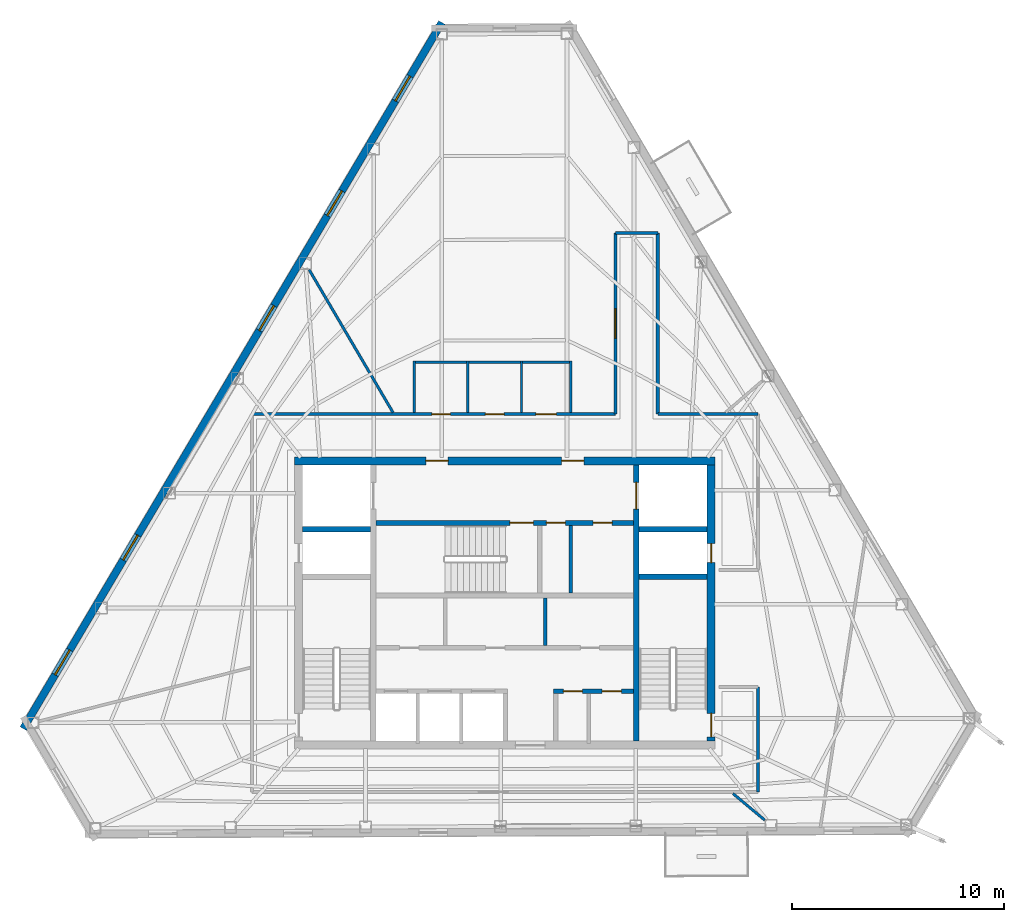
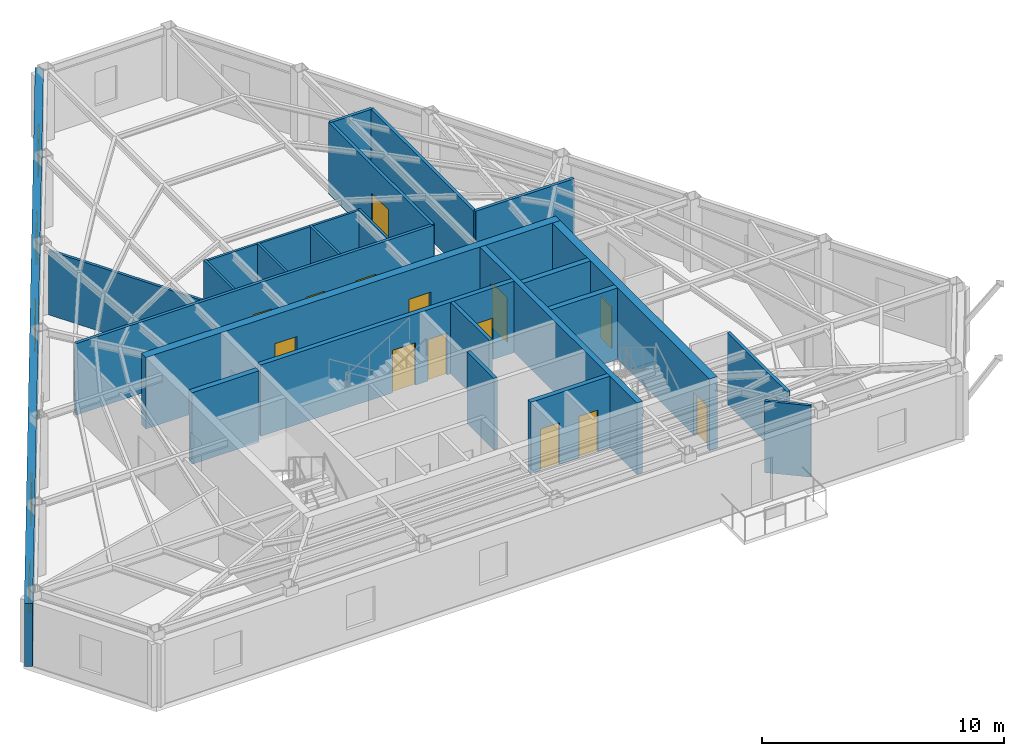
# One storey, part 7 of 9: 24 walls, 14 doors, 5 windows, 19 openings.
"""IFC4 building model written with IfcOpenShell, lengths in metres."""

from ifc_helpers import new_model, si_unit, direction, frame, frame_2d, origin, place, context, subcontext, project, spatial, rectangle, extrude, material, layer, layer_set, type_object, element, fill, save


model = new_model("IFC4")

# Units and contexts
model_context = context("Model", 3, precision=1e-05, world=origin(), true_north=direction((0.0, 1.0)))
body_context = subcontext(model_context, "Body", "Model", "MODEL_VIEW")
ifc_project = project(units=[si_unit("LENGTHUNIT", "METRE"), si_unit("AREAUNIT", "SQUARE_METRE"), si_unit("VOLUMEUNIT", "CUBIC_METRE"), si_unit("PLANEANGLEUNIT", "RADIAN"), si_unit("MASSUNIT", "GRAM", prefix="KILO")], contexts=[model_context])

# Site, building, storey
site_placement = place(None, origin())
site = spatial("IfcSite", under=ifc_project, at=site_placement, CompositionType="ELEMENT")
building_placement = place(site_placement, origin())
building = spatial("IfcBuilding", under=site, at=building_placement, Name="Kavelnor Concourse Tower", CompositionType="ELEMENT")
storey_placement = place(building_placement, frame((0.0, 0.0, 278.0)))
storey = spatial("IfcBuildingStorey", under=building, at=storey_placement, Name="L70", CompositionType="ELEMENT", Elevation=278.0)

# Wall, openings, doors
ifc_material_1 = material(Name="Concrete C50/60", Category="concrete")
ifc_layer_1 = layer(ifc_material_1, 0.3798828125, Name="Concrete C50/60")
ifc_layer_set_1 = layer_set([ifc_layer_1], Name="Concrete C50/60")
wall_type_1 = type_object("IfcWallType", Name="WL-CORE-Z4-380", PredefinedType="SOLIDWALL", material=ifc_layer_set_1)
wall_1_placement = place(storey_placement, frame((28.10009765625, 22.7900390625, 0.0), z_axis=(0.0, 0.0, 1.0), x_axis=(1.0, 0.0, 0.0)))
wall_1 = element("IfcWall", 1, at=wall_1_placement, inside=storey, type_object=wall_type_1, Name="L70 Central Core North Shear Wall", PredefinedType="SOLIDWALL", context=body_context, shape_type="SweptSolid", body=[
    extrude(rectangle(XDim=19.7998046875, YDim=0.3798828125, at=frame_2d((9.89990234375, 0.0))), origin(), (0.0, 0.0, 1.0), 3.610107421875),
])
opening_1_placement = place(wall_1_placement, frame((6.175048828125, 0.0, 0.0)))
opening_1 = element("IfcOpeningElement", 2, at=opening_1_placement, cuts=wall_1, Name="Opening FD-105", PredefinedType="OPENING", context=body_context, shape_type="SweptSolid", body=[
    extrude(rectangle(XDim=1.050048828125, YDim=2.14990234375, at=frame_2d((0.52490234375, 1.074951171875))), frame((0.0, 0.199951171875, 0.0), z_axis=(0.0, -1.0, 0.0), x_axis=(1.0, 0.0, 0.0)), (0.0, 0.0, 1.0), 0.39990234375),
])
opening_2_placement = place(wall_1_placement, frame((12.574951171875, 0.0, 0.0)))
opening_2 = element("IfcOpeningElement", 3, at=opening_2_placement, cuts=wall_1, Name="Opening FD-105", PredefinedType="OPENING", context=body_context, shape_type="SweptSolid", body=[
    extrude(rectangle(XDim=1.050048828125, YDim=2.14990234375, at=frame_2d((0.52490234375, 1.074951171875))), frame((0.0, 0.199951171875, 0.0), z_axis=(0.0, -1.0, 0.0), x_axis=(1.0, 0.0, 0.0)), (0.0, 0.0, 1.0), 0.39990234375),
])
ifc_material_2 = material(Name="Steel Grade 350", Category="steel")
door_type_1 = type_object("IfcDoorType", Name="DR-LOBBY-FIRE-1050", OperationType="NOTDEFINED", PredefinedType="DOOR", material=ifc_material_2)
door_1_placement = place(opening_1_placement, origin())
door_1 = element("IfcDoor", 4, at=door_1_placement, inside=storey, type_object=door_type_1, Name="L70 Emergency Lift Lobby West Door", OperationType="SINGLE_SWING_LEFT", OverallHeight=2.14990234375, OverallWidth=1.050048828125, PredefinedType="DOOR", context=body_context, shape_type="SweptSolid", body=[
    extrude(rectangle(XDim=1.050048828125, YDim=2.14990234375, at=frame_2d((0.52490234375, 1.074951171875))), frame((0.0, 0.02490234375, 0.0), z_axis=(0.0, -1.0, 0.0), x_axis=(1.0, 0.0, 0.0)), (0.0, 0.0, 1.0), 0.050048828125),
])
fill(opening_1, door_1)
door_2_placement = place(opening_2_placement, origin())
door_2 = element("IfcDoor", 5, at=door_2_placement, inside=storey, type_object=door_type_1, Name="L70 Emergency Lift Lobby East Door", OperationType="SINGLE_SWING_RIGHT", OverallHeight=2.14990234375, OverallWidth=1.050048828125, PredefinedType="DOOR", context=body_context, shape_type="SweptSolid", body=[
    extrude(rectangle(XDim=1.050048828125, YDim=2.14990234375, at=frame_2d((0.52490234375, 1.074951171875))), frame((0.0, 0.02490234375, 0.0), z_axis=(0.0, -1.0, 0.0), x_axis=(1.0, 0.0, 0.0)), (0.0, 0.0, 1.0), 0.050048828125),
])
fill(opening_2, door_2)

wall_2_placement = place(storey_placement, frame((47.7099609375, 9.60009765625, 0.0), z_axis=(0.0, 0.0, 1.0), x_axis=(0.0, 1.0, 0.0)))
wall_2 = element("IfcWall", 6, at=wall_2_placement, inside=storey, type_object=wall_type_1, Name="L70 Central Core East Shear Wall", PredefinedType="SOLIDWALL", context=body_context, shape_type="SweptSolid", body=[
    extrude(rectangle(XDim=13.0, YDim=0.3798828125, at=frame_2d((6.5, 0.0))), origin(), (0.0, 0.0, 1.0), 3.610107421875),
])
opening_3_placement = place(wall_2_placement, frame((0.199951171875, 0.0, 0.0)))
opening_3 = element("IfcOpeningElement", 7, at=opening_3_placement, cuts=wall_2, Name="Opening FD-110", PredefinedType="OPENING", context=body_context, shape_type="SweptSolid", body=[
    extrude(rectangle(XDim=1.10009765625, YDim=2.14990234375, at=frame_2d((0.550048828125, 1.074951171875))), frame((0.0, 0.199951171875, 0.0), z_axis=(0.0, -1.0, 0.0), x_axis=(1.0, 0.0, 0.0)), (0.0, 0.0, 1.0), 0.39990234375),
])
opening_4_placement = place(wall_2_placement, frame((8.39990234375, 0.0, 0.0)))
opening_4 = element("IfcOpeningElement", 8, at=opening_4_placement, cuts=wall_2, Name="Opening FD-090", PredefinedType="OPENING", context=body_context, shape_type="SweptSolid", body=[
    extrude(rectangle(XDim=0.89990234375, YDim=2.10009765625, at=frame_2d((0.449951171875, 1.050048828125))), frame((0.0, 0.199951171875, 0.0), z_axis=(0.0, -1.0, 0.0), x_axis=(1.0, 0.0, 0.0)), (0.0, 0.0, 1.0), 0.39990234375),
])
door_type_2 = type_object("IfcDoorType", Name="DR-RISER-FIRE-900", OperationType="NOTDEFINED", PredefinedType="DOOR", material=ifc_material_2)
door_3_placement = place(opening_4_placement, origin())
door_3 = element("IfcDoor", 9, at=door_3_placement, inside=storey, type_object=door_type_2, Name="L70 East Riser Access Door", OperationType="SINGLE_SWING_LEFT", OverallHeight=2.10009765625, OverallWidth=0.89990234375, PredefinedType="DOOR", context=body_context, shape_type="SweptSolid", body=[
    extrude(rectangle(XDim=0.89990234375, YDim=2.10009765625, at=frame_2d((0.449951171875, 1.050048828125))), frame((0.0, 0.02490234375, 0.0), z_axis=(0.0, -1.0, 0.0), x_axis=(1.0, 0.0, 0.0)), (0.0, 0.0, 1.0), 0.050048828125),
])
fill(opening_4, door_3)
door_type_3 = type_object("IfcDoorType", Name="DR-STAIR-FIRE-1100", OperationType="NOTDEFINED", PredefinedType="DOOR", material=ifc_material_2)
door_4_placement = place(opening_3_placement, origin())
door_4 = element("IfcDoor", 10, at=door_4_placement, inside=storey, type_object=door_type_3, Name="L70 Stair ST2 Fire Door", OperationType="SINGLE_SWING_RIGHT", OverallHeight=2.14990234375, OverallWidth=1.10009765625, PredefinedType="DOOR", context=body_context, shape_type="SweptSolid", body=[
    extrude(rectangle(XDim=1.10009765625, YDim=2.14990234375, at=frame_2d((0.550048828125, 1.074951171875))), frame((0.0, 0.02490234375, 0.0), z_axis=(0.0, -1.0, 0.0), x_axis=(1.0, 0.0, 0.0)), (0.0, 0.0, 1.0), 0.050048828125),
])
fill(opening_3, door_4)

# Wall, openings, windows
ifc_material_3 = material(Name="Red-ochre clay face brick masonry", Category="masonry")
ifc_layer_2 = layer(ifc_material_3, 0.35009765625, Name="Red-ochre clay face brick masonry")
ifc_layer_set_2 = layer_set([ifc_layer_2], Name="Red-ochre clay face brick masonry")
wall_type_2 = type_object("IfcWallType", Name="WL-EXT-RED-BRICK-PIER-350", PredefinedType="STANDARD", material=ifc_layer_set_2)
wall_3_placement = place(storey_placement, frame((15.321533203125, 10.185791015625, 0.0), z_axis=(0.0, 0.0, 1.0), x_axis=(0.510014133956, 0.860166020699, 0.0)))
wall_3 = element("IfcWall", 11, at=wall_3_placement, inside=storey, type_object=wall_type_2, Name="L70 Exterior Brick Facade Wall E1", PredefinedType="STANDARD", context=body_context, shape_type="SweptSolid", body=[
    extrude(rectangle(XDim=38.650146484375, YDim=0.35009765625, at=frame_2d((19.3251953125, 0.0))), origin(), (0.0, 0.0, 1.0), 3.196044921875),
])
opening_5_placement = place(wall_3_placement, frame((34.362060546875, 0.0, 0.64990234375)))
opening_5 = element("IfcOpeningElement", 12, at=opening_5_placement, cuts=wall_3, Name="Opening W-04", PredefinedType="OPENING", context=body_context, shape_type="SweptSolid", body=[
    extrude(rectangle(XDim=1.35009765625, YDim=1.75, at=frame_2d((0.675048828125, 0.875))), frame((0.0, 0.18505859375, 0.0), z_axis=(0.0, -1.0, 0.0), x_axis=(1.0, 0.0, 0.0)), (0.0, 0.0, 1.0), 0.3701171875),
])
opening_6_placement = place(wall_3_placement, frame((28.07958984375, 0.0, 0.64990234375)))
opening_6 = element("IfcOpeningElement", 13, at=opening_6_placement, cuts=wall_3, Name="Opening W-04", PredefinedType="OPENING", context=body_context, shape_type="SweptSolid", body=[
    extrude(rectangle(XDim=1.35009765625, YDim=1.75, at=frame_2d((0.675048828125, 0.875))), frame((0.0, 0.18505859375, 0.0), z_axis=(0.0, -1.0, 0.0), x_axis=(1.0, 0.0, 0.0)), (0.0, 0.0, 1.0), 0.3701171875),
])
opening_7_placement = place(wall_3_placement, frame((21.797119140625, 0.0, 0.64990234375)))
opening_7 = element("IfcOpeningElement", 14, at=opening_7_placement, cuts=wall_3, Name="Opening W-04", PredefinedType="OPENING", context=body_context, shape_type="SweptSolid", body=[
    extrude(rectangle(XDim=1.35009765625, YDim=1.75, at=frame_2d((0.675048828125, 0.875))), frame((0.0, 0.18505859375, 0.0), z_axis=(0.0, -1.0, 0.0), x_axis=(1.0, 0.0, 0.0)), (0.0, 0.0, 1.0), 0.3701171875),
])
opening_8_placement = place(wall_3_placement, frame((9.23193359375, 0.0, 0.64990234375)))
opening_8 = element("IfcOpeningElement", 15, at=opening_8_placement, cuts=wall_3, Name="Opening W-04", PredefinedType="OPENING", context=body_context, shape_type="SweptSolid", body=[
    extrude(rectangle(XDim=1.35009765625, YDim=1.75, at=frame_2d((0.675048828125, 0.875))), frame((0.0, 0.18505859375, 0.0), z_axis=(0.0, -1.0, 0.0), x_axis=(1.0, 0.0, 0.0)), (0.0, 0.0, 1.0), 0.3701171875),
])
opening_9_placement = place(wall_3_placement, frame((2.949462890625, 0.0, 0.64990234375)))
opening_9 = element("IfcOpeningElement", 16, at=opening_9_placement, cuts=wall_3, Name="Opening W-04", PredefinedType="OPENING", context=body_context, shape_type="SweptSolid", body=[
    extrude(rectangle(XDim=1.35009765625, YDim=1.75, at=frame_2d((0.675048828125, 0.875))), frame((0.0, 0.18505859375, 0.0), z_axis=(0.0, -1.0, 0.0), x_axis=(1.0, 0.0, 0.0)), (0.0, 0.0, 1.0), 0.3701171875),
])
ifc_material_4 = material(Name="Double low-E argon insulated glazing", Category="glass")
window_type = type_object("IfcWindowType", Name="WIN-PIER-Z4-1350", PartitioningType="SINGLE_PANEL", PredefinedType="WINDOW", material=ifc_material_4)
window_1_placement = place(opening_5_placement, origin())
window_1 = element("IfcWindow", 17, at=window_1_placement, inside=storey, type_object=window_type, Name="L70 Deep-Set Brick Pier Window F0-B0", OverallHeight=1.75, OverallWidth=1.35009765625, PartitioningType="SINGLE_PANEL", PredefinedType="WINDOW", context=body_context, shape_type="SweptSolid", body=[
    extrude(rectangle(XDim=1.35009765625, YDim=1.75, at=frame_2d((0.675048828125, 0.875))), frame((0.0, 0.030029296875, 0.0), z_axis=(0.0, -1.0, 0.0), x_axis=(1.0, 0.0, 0.0)), (0.0, 0.0, 1.0), 0.06005859375),
])
fill(opening_5, window_1)
window_2_placement = place(opening_6_placement, origin())
window_2 = element("IfcWindow", 18, at=window_2_placement, inside=storey, type_object=window_type, Name="L70 Deep-Set Brick Pier Window F0-B1", OverallHeight=1.75, OverallWidth=1.35009765625, PartitioningType="SINGLE_PANEL", PredefinedType="WINDOW", context=body_context, shape_type="SweptSolid", body=[
    extrude(rectangle(XDim=1.35009765625, YDim=1.75, at=frame_2d((0.675048828125, 0.875))), frame((0.0, 0.030029296875, 0.0), z_axis=(0.0, -1.0, 0.0), x_axis=(1.0, 0.0, 0.0)), (0.0, 0.0, 1.0), 0.06005859375),
])
fill(opening_6, window_2)
window_3_placement = place(opening_7_placement, origin())
window_3 = element("IfcWindow", 19, at=window_3_placement, inside=storey, type_object=window_type, Name="L70 Deep-Set Brick Pier Window F0-B2", OverallHeight=1.75, OverallWidth=1.35009765625, PartitioningType="SINGLE_PANEL", PredefinedType="WINDOW", context=body_context, shape_type="SweptSolid", body=[
    extrude(rectangle(XDim=1.35009765625, YDim=1.75, at=frame_2d((0.675048828125, 0.875))), frame((0.0, 0.030029296875, 0.0), z_axis=(0.0, -1.0, 0.0), x_axis=(1.0, 0.0, 0.0)), (0.0, 0.0, 1.0), 0.06005859375),
])
fill(opening_7, window_3)
window_4_placement = place(opening_8_placement, origin())
window_4 = element("IfcWindow", 20, at=window_4_placement, inside=storey, type_object=window_type, Name="L70 Deep-Set Brick Pier Window F0-B4", OverallHeight=1.75, OverallWidth=1.35009765625, PartitioningType="SINGLE_PANEL", PredefinedType="WINDOW", context=body_context, shape_type="SweptSolid", body=[
    extrude(rectangle(XDim=1.35009765625, YDim=1.75, at=frame_2d((0.675048828125, 0.875))), frame((0.0, 0.030029296875, 0.0), z_axis=(0.0, -1.0, 0.0), x_axis=(1.0, 0.0, 0.0)), (0.0, 0.0, 1.0), 0.06005859375),
])
fill(opening_8, window_4)
window_5_placement = place(opening_9_placement, origin())
window_5 = element("IfcWindow", 21, at=window_5_placement, inside=storey, type_object=window_type, Name="L70 Deep-Set Brick Pier Window F0-B5", OverallHeight=1.75, OverallWidth=1.35009765625, PartitioningType="SINGLE_PANEL", PredefinedType="WINDOW", context=body_context, shape_type="SweptSolid", body=[
    extrude(rectangle(XDim=1.35009765625, YDim=1.75, at=frame_2d((0.675048828125, 0.875))), frame((0.0, 0.030029296875, 0.0), z_axis=(0.0, -1.0, 0.0), x_axis=(1.0, 0.0, 0.0)), (0.0, 0.0, 1.0), 0.06005859375),
])
fill(opening_9, window_5)

# Wall, opening, door
ifc_material_5 = material(Name="Gypsum plasterboard on light-gauge steel studs", Category="steel")
ifc_layer_3 = layer(ifc_material_5, 0.14501953125, Name="Gypsum plasterboard on light-gauge steel studs")
ifc_layer_set_3 = layer_set([ifc_layer_3], Name="Gypsum plasterboard on light-gauge steel studs")
wall_type_3 = type_object("IfcWallType", Name="WL-INT-CORR-145", PredefinedType="PARTITIONING", material=ifc_layer_set_3)
wall_4_placement = place(storey_placement, frame((43.199951171875, 24.989990234375, 0.0), z_axis=(0.0, 0.0, 1.0), x_axis=(0.0, 1.0, 0.0)))
wall_4 = element("IfcWall", 22, at=wall_4_placement, inside=storey, type_object=wall_type_3, Name="L70 Corridor Wall WL-L70-CR-01", PredefinedType="PARTITIONING", context=body_context, shape_type="SweptSolid", body=[
    extrude(rectangle(XDim=8.53662109375, YDim=0.14501953125, at=frame_2d((4.268310546875, 0.0))), origin(), (0.0, 0.0, 1.0), 3.610107421875),
])
opening_10_placement = place(wall_4_placement, frame((3.568359375, 0.0, 0.0)))
opening_10 = element("IfcOpeningElement", 23, at=opening_10_placement, cuts=wall_4, Name="Opening SD-140", PredefinedType="OPENING", context=body_context, shape_type="SweptSolid", body=[
    extrude(rectangle(XDim=1.39990234375, YDim=2.199951171875, at=frame_2d((0.699951171875, 1.10009765625))), frame((0.0, 0.08251953125, 0.0), z_axis=(0.0, -1.0, 0.0), x_axis=(1.0, 0.0, 0.0)), (0.0, 0.0, 1.0), 0.1650390625),
])
ifc_material_6 = material(Name="Solid-core hardwood timber", Category="wood")
door_type_4 = type_object("IfcDoorType", Name="DR-SUITE-ENTRY-1400", OperationType="NOTDEFINED", PredefinedType="DOOR", material=ifc_material_6)
door_5_placement = place(opening_10_placement, origin())
door_5 = element("IfcDoor", 24, at=door_5_placement, inside=storey, type_object=door_type_4, Name="L70 Executive Dining Room 01 Door", OperationType="SINGLE_SWING_RIGHT", OverallHeight=2.199951171875, OverallWidth=1.39990234375, PredefinedType="DOOR", context=body_context, shape_type="SweptSolid", body=[
    extrude(rectangle(XDim=1.39990234375, YDim=2.199951171875, at=frame_2d((0.699951171875, 1.10009765625))), frame((0.0, 0.02490234375, 0.0), z_axis=(0.0, -1.0, 0.0), x_axis=(1.0, 0.0, 0.0)), (0.0, 0.0, 1.0), 0.050048828125),
])
fill(opening_10, door_5)

# Walls
wall_5_placement = place(storey_placement, frame((43.199951171875, 33.526611328125, 0.0), z_axis=(0.0, 0.0, 1.0), x_axis=(1.0, 0.0, 0.0)))
element("IfcWall", 25, at=wall_5_placement, inside=storey, type_object=wall_type_3, Name="L70 Corridor Wall WL-L70-CR-02", PredefinedType="PARTITIONING", context=body_context, shape_type="SweptSolid", body=[
    extrude(rectangle(XDim=2.0, YDim=0.14501953125, at=frame_2d((1.0, 0.0))), origin(), (0.0, 0.0, 1.0), 3.610107421875),
])
wall_6_placement = place(storey_placement, frame((45.199951171875, 33.526611328125, 0.0), z_axis=(0.0, 0.0, 1.0), x_axis=(0.0, -1.0, 0.0)))
element("IfcWall", 26, at=wall_6_placement, inside=storey, type_object=wall_type_3, Name="L70 Corridor Wall WL-L70-CR-03", PredefinedType="PARTITIONING", context=body_context, shape_type="SweptSolid", body=[
    extrude(rectangle(XDim=8.53662109375, YDim=0.14501953125, at=frame_2d((4.268310546875, 0.0))), origin(), (0.0, 0.0, 1.0), 3.610107421875),
])
wall_7_placement = place(storey_placement, frame((45.199951171875, 24.989990234375, 0.0), z_axis=(0.0, 0.0, 1.0), x_axis=(1.0, 0.0, 0.0)))
element("IfcWall", 27, at=wall_7_placement, inside=storey, type_object=wall_type_3, Name="L70 Corridor Wall WL-L70-CR-04", PredefinedType="PARTITIONING", context=body_context, shape_type="SweptSolid", body=[
    extrude(rectangle(XDim=4.7099609375, YDim=0.14501953125, at=frame_2d((2.35498046875, 0.0))), origin(), (0.0, 0.0, 1.0), 3.610107421875),
])
wall_8_placement = place(storey_placement, frame((49.909912109375, 12.14990234375, 0.0), z_axis=(0.0, 0.0, 1.0), x_axis=(0.0, -1.0, 0.0)))
element("IfcWall", 28, at=wall_8_placement, inside=storey, type_object=wall_type_3, Name="L70 Corridor Wall WL-L70-CR-08", PredefinedType="PARTITIONING", context=body_context, shape_type="SweptSolid", body=[
    extrude(rectangle(XDim=4.93994140625, YDim=0.14501953125, at=frame_2d((2.469970703125, 0.0))), origin(), (0.0, 0.0, 1.0), 3.610107421875),
])

# Wall, openings, doors
wall_9_placement = place(storey_placement, frame((26.090087890625, 24.989990234375, 0.0), z_axis=(0.0, 0.0, 1.0), x_axis=(1.0, 0.0, 0.0)))
wall_9 = element("IfcWall", 29, at=wall_9_placement, inside=storey, type_object=wall_type_3, Name="L70 Corridor Wall WL-L70-CR-11", PredefinedType="PARTITIONING", context=body_context, shape_type="SweptSolid", body=[
    extrude(rectangle(XDim=17.10986328125, YDim=0.14501953125, at=frame_2d((8.554931640625, 0.0))), origin(), (0.0, 0.0, 1.0), 3.610107421875),
])
opening_11_placement = place(wall_9_placement, frame((8.469970703125, 0.0, 0.0)))
opening_11 = element("IfcOpeningElement", 30, at=opening_11_placement, cuts=wall_9, Name="Opening WD-088", PredefinedType="OPENING", context=body_context, shape_type="SweptSolid", body=[
    extrude(rectangle(XDim=0.8798828125, YDim=2.10009765625, at=frame_2d((0.43994140625, 1.050048828125))), frame((0.0, 0.08251953125, 0.0), z_axis=(0.0, -1.0, 0.0), x_axis=(1.0, 0.0, 0.0)), (0.0, 0.0, 1.0), 0.1650390625),
])
opening_12_placement = place(wall_9_placement, frame((10.989990234375, 0.0, 0.0)))
opening_12 = element("IfcOpeningElement", 31, at=opening_12_placement, cuts=wall_9, Name="Opening WD-088", PredefinedType="OPENING", context=body_context, shape_type="SweptSolid", body=[
    extrude(rectangle(XDim=0.8798828125, YDim=2.10009765625, at=frame_2d((0.43994140625, 1.050048828125))), frame((0.0, 0.08251953125, 0.0), z_axis=(0.0, -1.0, 0.0), x_axis=(1.0, 0.0, 0.0)), (0.0, 0.0, 1.0), 0.1650390625),
])
opening_13_placement = place(wall_9_placement, frame((13.3701171875, 0.0, 0.0)))
opening_13 = element("IfcOpeningElement", 32, at=opening_13_placement, cuts=wall_9, Name="Opening WD-096", PredefinedType="OPENING", context=body_context, shape_type="SweptSolid", body=[
    extrude(rectangle(XDim=0.9599609375, YDim=2.10009765625, at=frame_2d((0.47998046875, 1.050048828125))), frame((0.0, 0.08251953125, 0.0), z_axis=(0.0, -1.0, 0.0), x_axis=(1.0, 0.0, 0.0)), (0.0, 0.0, 1.0), 0.1650390625),
])
door_type_5 = type_object("IfcDoorType", Name="DR-WC-ACC-960", OperationType="NOTDEFINED", PredefinedType="DOOR", material=ifc_material_6)
door_6_placement = place(opening_13_placement, origin())
door_6 = element("IfcDoor", 33, at=door_6_placement, inside=storey, type_object=door_type_5, Name="L70 Accessible WC Door", OperationType="SINGLE_SWING_RIGHT", OverallHeight=2.10009765625, OverallWidth=0.9599609375, PredefinedType="DOOR", context=body_context, shape_type="SweptSolid", body=[
    extrude(rectangle(XDim=0.9599609375, YDim=2.10009765625, at=frame_2d((0.47998046875, 1.050048828125))), frame((0.0, 0.02490234375, 0.0), z_axis=(0.0, -1.0, 0.0), x_axis=(1.0, 0.0, 0.0)), (0.0, 0.0, 1.0), 0.050048828125),
])
fill(opening_13, door_6)
door_type_6 = type_object("IfcDoorType", Name="DR-WC-STD-880", OperationType="NOTDEFINED", PredefinedType="DOOR", material=ifc_material_6)
door_7_placement = place(opening_11_placement, origin())
door_7 = element("IfcDoor", 34, at=door_7_placement, inside=storey, type_object=door_type_6, Name="L70 Male WC Door", OperationType="SINGLE_SWING_RIGHT", OverallHeight=2.10009765625, OverallWidth=0.8798828125, PredefinedType="DOOR", context=body_context, shape_type="SweptSolid", body=[
    extrude(rectangle(XDim=0.8798828125, YDim=2.10009765625, at=frame_2d((0.43994140625, 1.050048828125))), frame((0.0, 0.02490234375, 0.0), z_axis=(0.0, -1.0, 0.0), x_axis=(1.0, 0.0, 0.0)), (0.0, 0.0, 1.0), 0.050048828125),
])
fill(opening_11, door_7)
door_8_placement = place(opening_12_placement, origin())
door_8 = element("IfcDoor", 35, at=door_8_placement, inside=storey, type_object=door_type_6, Name="L70 Female WC Door", OperationType="SINGLE_SWING_LEFT", OverallHeight=2.10009765625, OverallWidth=0.8798828125, PredefinedType="DOOR", context=body_context, shape_type="SweptSolid", body=[
    extrude(rectangle(XDim=0.8798828125, YDim=2.10009765625, at=frame_2d((0.43994140625, 1.050048828125))), frame((0.0, 0.02490234375, 0.0), z_axis=(0.0, -1.0, 0.0), x_axis=(1.0, 0.0, 0.0)), (0.0, 0.0, 1.0), 0.050048828125),
])
fill(opening_12, door_8)

# Walls
ifc_layer_4 = layer(ifc_material_5, 0.1650390625, Name="Gypsum plasterboard on light-gauge steel studs")
ifc_layer_set_4 = layer_set([ifc_layer_4], Name="Gypsum plasterboard on light-gauge steel studs")
wall_type_4 = type_object("IfcWallType", Name="WL-INT-FIRE-165", PredefinedType="PARTITIONING", material=ifc_layer_set_4)
wall_10_placement = place(storey_placement, frame((39.89990234375, 14.10009765625, 0.0), z_axis=(0.0, 0.0, 1.0), x_axis=(0.0, 1.0, 0.0)))
element("IfcWall", 36, at=wall_10_placement, inside=storey, type_object=wall_type_4, Name="L70 Reclaimed Core Partition B", PredefinedType="PARTITIONING", context=body_context, shape_type="SweptSolid", body=[
    extrude(rectangle(XDim=2.239990234375, YDim=0.1650390625, at=frame_2d((1.1201171875, 0.0))), origin(), (0.0, 0.0, 1.0), 3.610107421875),
])
wall_11_placement = place(storey_placement, frame((41.10009765625, 16.56005859375, 0.0), z_axis=(0.0, 0.0, 1.0), x_axis=(0.0, 1.0, 0.0)))
element("IfcWall", 37, at=wall_11_placement, inside=storey, type_object=wall_type_4, Name="L70 Core Support West Divider", PredefinedType="PARTITIONING", context=body_context, shape_type="SweptSolid", body=[
    extrude(rectangle(XDim=3.199951171875, YDim=0.1650390625, at=frame_2d((1.60009765625, 0.0))), origin(), (0.0, 0.0, 1.0), 3.610107421875),
])
ifc_layer_5 = layer(ifc_material_5, 0.125, Name="Gypsum plasterboard on light-gauge steel studs")
ifc_layer_set_5 = layer_set([ifc_layer_5], Name="Gypsum plasterboard on light-gauge steel studs")
wall_type_5 = type_object("IfcWallType", Name="WL-INT-SUITE-125", PredefinedType="PARTITIONING", material=ifc_layer_set_5)
wall_12_placement = place(storey_placement, frame((32.732666015625, 25.070556640625, 0.0), z_axis=(0.0, 0.0, 1.0), x_axis=(-0.506379339837, 0.862310828058, 0.0)))
element("IfcWall", 38, at=wall_12_placement, inside=storey, type_object=wall_type_5, Name="L70 Radial Suite Partition 02", PredefinedType="PARTITIONING", context=body_context, shape_type="SweptSolid", body=[
    extrude(rectangle(XDim=7.794189453125, YDim=0.125, at=frame_2d((3.89697265625, 0.0))), origin(), (0.0, 0.0, 1.0), 3.24609375),
])
wall_13_placement = place(storey_placement, frame((48.73828125, 7.12939453125, 0.0), z_axis=(0.0, 0.0, 1.0), x_axis=(0.767493686338, -0.641056504086, 0.0)))
element("IfcWall", 39, at=wall_13_placement, inside=storey, type_object=wall_type_5, Name="L70 Radial Suite Partition 04", PredefinedType="PARTITIONING", context=body_context, shape_type="SweptSolid", body=[
    extrude(rectangle(XDim=1.9541015625, YDim=0.125, at=frame_2d((0.97705078125, 0.0))), origin(), (0.0, 0.0, 1.0), 3.610107421875),
])
ifc_layer_6 = layer(ifc_material_5, 0.110107421875, Name="Gypsum plasterboard on light-gauge steel studs")
ifc_layer_set_6 = layer_set([ifc_layer_6], Name="Gypsum plasterboard on light-gauge steel studs")
wall_type_6 = type_object("IfcWallType", Name="WL-INT-WC-110", PredefinedType="PLUMBINGWALL", material=ifc_layer_set_6)
for number, where, z_axis, x_axis, name in (
    (40, (33.739990234375, 25.06005859375, 0.0), (0.0, 0.0, 1.0), (0.0, 1.0, 0.0), "L70 Sanitary Partition WL-L70-WC-W"),
    (41, (36.260009765625, 25.06005859375, 0.0), (0.0, 0.0, 1.0), (0.0, 1.0, 0.0), "L70 Sanitary Partition WL-L70-WC-D1"),
    (42, (38.780029296875, 25.06005859375, 0.0), (0.0, 0.0, 1.0), (0.0, 1.0, 0.0), "L70 Sanitary Partition WL-L70-WC-D2"),
    (43, (41.10009765625, 25.06005859375, 0.0), (0.0, 0.0, 1.0), (0.0, 1.0, 0.0), "L70 Sanitary Partition WL-L70-WC-E"),
):
    element("IfcWall", number, at=place(storey_placement, frame(where, z_axis=z_axis, x_axis=x_axis)), inside=storey, type_object=wall_type_6, Name=name, PredefinedType="PLUMBINGWALL", context=body_context, shape_type="SweptSolid", body=[
        extrude(rectangle(XDim=2.43994140625, YDim=0.110107421875, at=frame_2d((1.219970703125, 0.0))), origin(), (0.0, 0.0, 1.0), 3.610107421875),
    ])
wall_14_placement = place(storey_placement, frame((33.68994140625, 27.43994140625, 0.0), z_axis=(0.0, 0.0, 1.0), x_axis=(1.0, 0.0, 0.0)))
element("IfcWall", 44, at=wall_14_placement, inside=storey, type_object=wall_type_6, Name="L70 Sanitary Partition WL-L70-WC-N", PredefinedType="PLUMBINGWALL", context=body_context, shape_type="SweptSolid", body=[
    extrude(rectangle(XDim=7.4599609375, YDim=0.110107421875, at=frame_2d((3.72998046875, 0.0))), origin(), (0.0, 0.0, 1.0), 3.610107421875),
])

# Wall, openings, doors
ifc_layer_7 = layer(ifc_material_1, 0.219970703125, Name="Concrete C50/60")
ifc_layer_set_7 = layer_set([ifc_layer_7], Name="Concrete C50/60")
wall_type_7 = type_object("IfcWallType", Name="WL-SHAFT-220", PredefinedType="SOLIDWALL", material=ifc_layer_set_7)
wall_15_placement = place(storey_placement, frame((31.93994140625, 19.8701171875, 0.0), z_axis=(0.0, 0.0, 1.0), x_axis=(1.0, 0.0, 0.0)))
wall_15 = element("IfcWall", 45, at=wall_15_placement, inside=storey, type_object=wall_type_7, Name="L70 Emergency Lift Lobby South Wall", PredefinedType="SOLIDWALL", context=body_context, shape_type="SweptSolid", body=[
    extrude(rectangle(XDim=12.1201171875, YDim=0.219970703125, at=frame_2d((6.06005859375, 0.0))), origin(), (0.0, 0.0, 1.0), 3.610107421875),
])
opening_14_placement = place(wall_15_placement, frame((6.300048828125, 0.0, 0.0)))
opening_14 = element("IfcOpeningElement", 46, at=opening_14_placement, cuts=wall_15, Name="Opening FD-110", PredefinedType="OPENING", context=body_context, shape_type="SweptSolid", body=[
    extrude(rectangle(XDim=1.10009765625, YDim=2.14990234375, at=frame_2d((0.550048828125, 1.074951171875))), frame((0.0, 0.1201171875, 0.0), z_axis=(0.0, -1.0, 0.0), x_axis=(1.0, 0.0, 0.0)), (0.0, 0.0, 1.0), 0.239990234375),
])
opening_15_placement = place(wall_15_placement, frame((8.010009765625, 0.0, 0.0)))
opening_15 = element("IfcOpeningElement", 47, at=opening_15_placement, cuts=wall_15, Name="Opening FD-090", PredefinedType="OPENING", context=body_context, shape_type="SweptSolid", body=[
    extrude(rectangle(XDim=0.89990234375, YDim=2.10009765625, at=frame_2d((0.449951171875, 1.050048828125))), frame((0.0, 0.1201171875, 0.0), z_axis=(0.0, -1.0, 0.0), x_axis=(1.0, 0.0, 0.0)), (0.0, 0.0, 1.0), 0.239990234375),
])
opening_16_placement = place(wall_15_placement, frame((10.2099609375, 0.0, 0.0)))
opening_16 = element("IfcOpeningElement", 48, at=opening_16_placement, cuts=wall_15, Name="Opening FD-090", PredefinedType="OPENING", context=body_context, shape_type="SweptSolid", body=[
    extrude(rectangle(XDim=0.89990234375, YDim=2.10009765625, at=frame_2d((0.449951171875, 1.050048828125))), frame((0.0, 0.1201171875, 0.0), z_axis=(0.0, -1.0, 0.0), x_axis=(1.0, 0.0, 0.0)), (0.0, 0.0, 1.0), 0.239990234375),
])
door_9_placement = place(opening_15_placement, origin())
door_9 = element("IfcDoor", 49, at=door_9_placement, inside=storey, type_object=door_type_2, Name="L70 Cleaner Door", OperationType="SINGLE_SWING_RIGHT", OverallHeight=2.10009765625, OverallWidth=0.89990234375, PredefinedType="DOOR", context=body_context, shape_type="SweptSolid", body=[
    extrude(rectangle(XDim=0.89990234375, YDim=2.10009765625, at=frame_2d((0.449951171875, 1.050048828125))), frame((0.0, 0.02490234375, 0.0), z_axis=(0.0, -1.0, 0.0), x_axis=(1.0, 0.0, 0.0)), (0.0, 0.0, 1.0), 0.050048828125),
])
fill(opening_15, door_9)
door_10_placement = place(opening_16_placement, origin())
door_10 = element("IfcDoor", 50, at=door_10_placement, inside=storey, type_object=door_type_2, Name="L70 UPS Room Door", OperationType="SINGLE_SWING_LEFT", OverallHeight=2.10009765625, OverallWidth=0.89990234375, PredefinedType="DOOR", context=body_context, shape_type="SweptSolid", body=[
    extrude(rectangle(XDim=0.89990234375, YDim=2.10009765625, at=frame_2d((0.449951171875, 1.050048828125))), frame((0.0, 0.02490234375, 0.0), z_axis=(0.0, -1.0, 0.0), x_axis=(1.0, 0.0, 0.0)), (0.0, 0.0, 1.0), 0.050048828125),
])
fill(opening_16, door_10)
door_11_placement = place(opening_14_placement, origin())
door_11 = element("IfcDoor", 51, at=door_11_placement, inside=storey, type_object=door_type_3, Name="L70 Stair ST3 Fire Door", OperationType="SINGLE_SWING_LEFT", OverallHeight=2.14990234375, OverallWidth=1.10009765625, PredefinedType="DOOR", context=body_context, shape_type="SweptSolid", body=[
    extrude(rectangle(XDim=1.10009765625, YDim=2.14990234375, at=frame_2d((0.550048828125, 1.074951171875))), frame((0.0, 0.02490234375, 0.0), z_axis=(0.0, -1.0, 0.0), x_axis=(1.0, 0.0, 0.0)), (0.0, 0.0, 1.0), 0.050048828125),
])
fill(opening_14, door_11)

wall_16_placement = place(storey_placement, frame((40.280029296875, 11.949951171875, 0.0), z_axis=(0.0, 0.0, 1.0), x_axis=(1.0, 0.0, 0.0)))
wall_16 = element("IfcWall", 52, at=wall_16_placement, inside=storey, type_object=wall_type_7, Name="L70 Core South Support North Wall", PredefinedType="SOLIDWALL", context=body_context, shape_type="SweptSolid", body=[
    extrude(rectangle(XDim=3.780029296875, YDim=0.219970703125, at=frame_2d((1.89013671875, 0.0))), origin(), (0.0, 0.0, 1.0), 3.610107421875),
])
opening_17_placement = place(wall_16_placement, frame((0.469970703125, 0.0, 0.0)))
opening_17 = element("IfcOpeningElement", 53, at=opening_17_placement, cuts=wall_16, Name="Opening FD-090", PredefinedType="OPENING", context=body_context, shape_type="SweptSolid", body=[
    extrude(rectangle(XDim=0.89990234375, YDim=2.10009765625, at=frame_2d((0.449951171875, 1.050048828125))), frame((0.0, 0.1201171875, 0.0), z_axis=(0.0, -1.0, 0.0), x_axis=(1.0, 0.0, 0.0)), (0.0, 0.0, 1.0), 0.239990234375),
])
opening_18_placement = place(wall_16_placement, frame((2.300048828125, 0.0, 0.0)))
opening_18 = element("IfcOpeningElement", 54, at=opening_18_placement, cuts=wall_16, Name="Opening FD-090", PredefinedType="OPENING", context=body_context, shape_type="SweptSolid", body=[
    extrude(rectangle(XDim=0.89990234375, YDim=2.10009765625, at=frame_2d((0.449951171875, 1.050048828125))), frame((0.0, 0.1201171875, 0.0), z_axis=(0.0, -1.0, 0.0), x_axis=(1.0, 0.0, 0.0)), (0.0, 0.0, 1.0), 0.239990234375),
])
door_12_placement = place(opening_17_placement, origin())
door_12 = element("IfcDoor", 55, at=door_12_placement, inside=storey, type_object=door_type_2, Name="L70 Staff WC Door", OperationType="SINGLE_SWING_LEFT", OverallHeight=2.10009765625, OverallWidth=0.89990234375, PredefinedType="DOOR", context=body_context, shape_type="SweptSolid", body=[
    extrude(rectangle(XDim=0.89990234375, YDim=2.10009765625, at=frame_2d((0.449951171875, 1.050048828125))), frame((0.0, 0.02490234375, 0.0), z_axis=(0.0, -1.0, 0.0), x_axis=(1.0, 0.0, 0.0)), (0.0, 0.0, 1.0), 0.050048828125),
])
fill(opening_17, door_12)
door_13_placement = place(opening_18_placement, origin())
door_13 = element("IfcDoor", 56, at=door_13_placement, inside=storey, type_object=door_type_2, Name="L70 Core Comms Door", OperationType="SINGLE_SWING_RIGHT", OverallHeight=2.10009765625, OverallWidth=0.89990234375, PredefinedType="DOOR", context=body_context, shape_type="SweptSolid", body=[
    extrude(rectangle(XDim=0.89990234375, YDim=2.10009765625, at=frame_2d((0.449951171875, 1.050048828125))), frame((0.0, 0.02490234375, 0.0), z_axis=(0.0, -1.0, 0.0), x_axis=(1.0, 0.0, 0.0)), (0.0, 0.0, 1.0), 0.050048828125),
])
fill(opening_18, door_13)

# Wall, opening, door
ifc_layer_8 = layer(ifc_material_1, 0.260009765625, Name="Concrete C50/60")
ifc_layer_set_8 = layer_set([ifc_layer_8], Name="Concrete C50/60")
wall_type_8 = type_object("IfcWallType", Name="WL-SHAFT-260", PredefinedType="SHEAR", material=ifc_layer_set_8)
wall_17_placement = place(storey_placement, frame((44.18994140625, 9.60009765625, 0.0), z_axis=(0.0, 0.0, 1.0), x_axis=(0.0, 1.0, 0.0)))
wall_17 = element("IfcWall", 57, at=wall_17_placement, inside=storey, type_object=wall_type_8, Name="L70 Core East Wing Shear Wall", PredefinedType="SHEAR", context=body_context, shape_type="SweptSolid", body=[
    extrude(rectangle(XDim=13.0, YDim=0.260009765625, at=frame_2d((6.5, 0.0))), origin(), (0.0, 0.0, 1.0), 3.610107421875),
])
opening_19_placement = place(wall_17_placement, frame((10.925048828125, 0.0, 0.0)))
opening_19 = element("IfcOpeningElement", 58, at=opening_19_placement, cuts=wall_17, Name="Opening LD-125", PredefinedType="OPENING", context=body_context, shape_type="SweptSolid", body=[
    extrude(rectangle(XDim=1.25, YDim=2.25, at=frame_2d((0.625, 1.125))), frame((0.0, 0.14013671875, 0.0), z_axis=(0.0, -1.0, 0.0), x_axis=(1.0, 0.0, 0.0)), (0.0, 0.0, 1.0), 0.280029296875),
])
door_type_7 = type_object("IfcDoorType", Name="DR-LIFT-SLIDING-1250", OperationType="NOTDEFINED", PredefinedType="DOOR", material=ifc_material_2)
door_14_placement = place(opening_19_placement, origin())
door_14 = element("IfcDoor", 59, at=door_14_placement, inside=storey, type_object=door_type_7, Name="L70 Emergency Lift FL2 Landing Door", OperationType="DOUBLE_DOOR_SLIDING", OverallHeight=2.25, OverallWidth=1.25, PredefinedType="DOOR", context=body_context, shape_type="SweptSolid", body=[
    extrude(rectangle(XDim=1.25, YDim=2.25, at=frame_2d((0.625, 1.125))), frame((0.0, 0.02490234375, 0.0), z_axis=(0.0, -1.0, 0.0), x_axis=(1.0, 0.0, 0.0)), (0.0, 0.0, 1.0), 0.050048828125),
])
fill(opening_19, door_14)

# Walls
for number, where, z_axis, x_axis, name in (
    (60, (28.47998046875, 19.570068359375, 0.0), (0.0, 0.0, 1.0), (1.0, 0.0, 0.0), "L70 Emergency Lift FL1 South Shaft Wall"),
    (61, (44.320068359375, 17.330078125, 0.0), (0.0, 0.0, 1.0), (1.0, 0.0, 0.0), "L70 Stair ST2 North Shaft Wall"),
    (62, (44.320068359375, 19.570068359375, 0.0), (0.0, 0.0, 1.0), (1.0, 0.0, 0.0), "L70 Emergency Lift FL2 South Shaft Wall"),
):
    element("IfcWall", number, at=place(storey_placement, frame(where, z_axis=z_axis, x_axis=x_axis)), inside=storey, type_object=wall_type_8, Name=name, PredefinedType="SHEAR", context=body_context, shape_type="SweptSolid", body=[
        extrude(rectangle(XDim=3.199951171875, YDim=0.260009765625, at=frame_2d((1.60009765625, 0.0))), origin(), (0.0, 0.0, 1.0), 3.610107421875),
    ])

save(model, "model.ifc")
